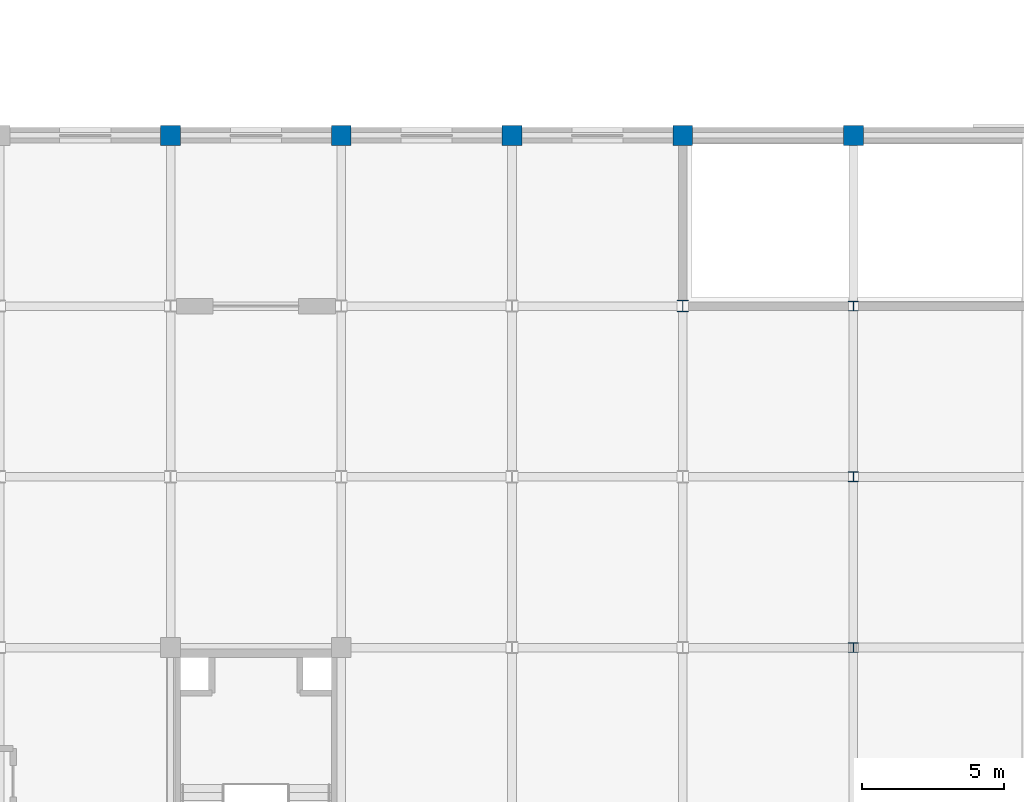
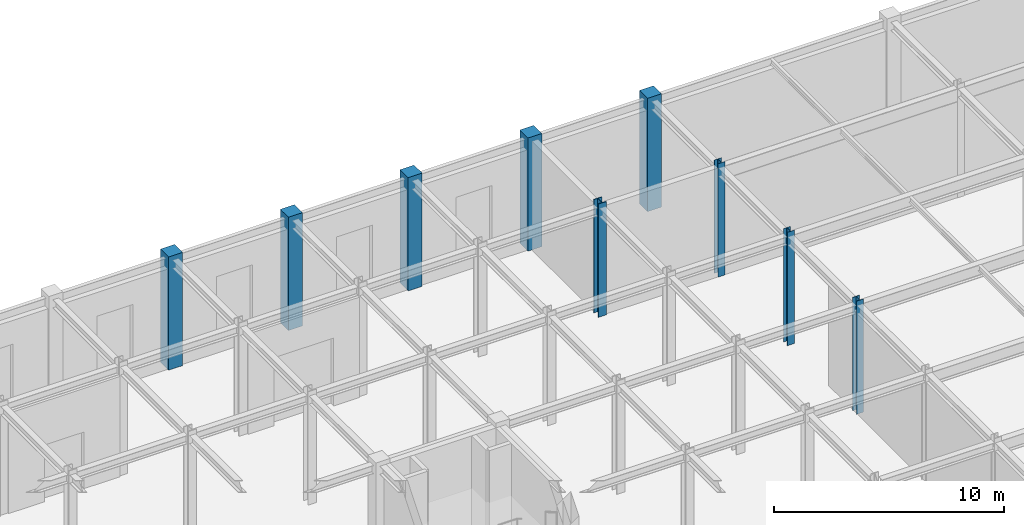
# One storey, part 20 of 51: 9 columns.
"""IFC4 building model written with IfcOpenShell, lengths in metres."""

from ifc_helpers import new_model, si_unit, direction, frame, origin, origin_2d, place, context, subcontext, project, spatial, rectangle, i_section, extrude, material, material_profile, profile_set, type_object, element, save


model = new_model("IFC4")

# Units and contexts
model_context = context("Model", 3, precision=1e-05, world=origin(), true_north=direction((0.0, 1.0)))
body_context = subcontext(model_context, "Body", "Model", "MODEL_VIEW")
ifc_project = project(units=[si_unit("LENGTHUNIT", "METRE"), si_unit("AREAUNIT", "SQUARE_METRE"), si_unit("VOLUMEUNIT", "CUBIC_METRE"), si_unit("PLANEANGLEUNIT", "RADIAN"), si_unit("MASSUNIT", "GRAM", prefix="KILO")], contexts=[model_context])

# Site, building, storey
site_placement = place(None, origin())
site = spatial("IfcSite", under=ifc_project, at=site_placement, CompositionType="ELEMENT")
building_placement = place(site_placement, origin())
building = spatial("IfcBuilding", under=site, at=building_placement, Name="Zlatovratsky Civic Hall", CompositionType="ELEMENT")
storey_placement = place(building_placement, origin())
storey = spatial("IfcBuildingStorey", under=building, at=storey_placement, Name="L01", CompositionType="ELEMENT", Elevation=0.0)

# Columns
ifc_material_1 = material(Name="Concrete C35/45 (B40)", Category="concrete")
ifc_material_profile_1 = material_profile(ifc_material_1, rectangle(XDim=0.699951171875, YDim=0.699951171875, at=origin_2d()), Name="RC 700x700")
ifc_profile_set_1 = profile_set([ifc_material_profile_1], Name="Concrete C35/45 (B40)")
column_type_1 = type_object("IfcColumnType", Name="Col_CorePier_RC700", PredefinedType="COLUMN", material=ifc_profile_set_1)
for number, where, z_axis, x_axis, name in (
    (1, (96.0, 114.0, 0.0), (0.0, 0.0, 1.0), (1.0, 0.0, 0.0), "CL-0812"),
    (2, (102.0, 114.0, 0.0), (0.0, 0.0, 1.0), (1.0, 0.0, 0.0), "CL-0813"),
    (3, (108.0, 114.0, 0.0), (0.0, 0.0, 1.0), (1.0, 0.0, 0.0), "CL-0814"),
    (4, (114.0, 114.0, 0.0), (0.0, 0.0, 1.0), (1.0, 0.0, 0.0), "CL-0815"),
    (5, (120.0, 114.0, 0.0), (0.0, 0.0, 1.0), (1.0, 0.0, 0.0), "CL-0816"),
):
    element("IfcColumn", number, at=place(storey_placement, frame(where, z_axis=z_axis, x_axis=x_axis)), inside=storey, type_object=column_type_1, Name=name, PredefinedType="COLUMN", context=body_context, shape_type="SweptSolid", body=[
        extrude(rectangle(XDim=0.699951171875, YDim=0.699951171875, at=origin_2d()), origin(), (0.0, 0.0, 1.0), 6.0),
    ])
ifc_material_2 = material(Name="Steel S355", Category="steel")
ifc_material_profile_2 = material_profile(ifc_material_2, i_section(OverallWidth=0.35009765625, OverallDepth=0.343017578125, WebThickness=0.010009765625, FlangeThickness=0.014892578125, FilletRadius=0.02001953125, at=origin_2d()), Name="35K1")
ifc_profile_set_2 = profile_set([ifc_material_profile_2], Name="Steel S355")
column_type_2 = type_object("IfcColumnType", Name="Col_Steel_35K1", PredefinedType="COLUMN", material=ifc_profile_set_2)
for number, where, z_axis, x_axis, name in (
    (6, (120.0, 96.0, 0.0), (0.0, 0.0, 1.0), (1.0, 0.0, 0.0), "CL-0747"),
    (7, (120.0, 102.0, 0.0), (0.0, 0.0, 1.0), (1.0, 0.0, 0.0), "CL-0770"),
    (8, (120.0, 108.0, 0.0), (0.0, 0.0, 1.0), (1.0, 0.0, 0.0), "CL-0793"),
):
    element("IfcColumn", number, at=place(storey_placement, frame(where, z_axis=z_axis, x_axis=x_axis)), inside=storey, type_object=column_type_2, Name=name, PredefinedType="COLUMN", context=body_context, shape_type="SweptSolid", body=[
        extrude(i_section(OverallWidth=0.35009765625, OverallDepth=0.343017578125, WebThickness=0.010009765625, FlangeThickness=0.014892578125, FilletRadius=0.02001953125, at=origin_2d()), origin(), (0.0, 0.0, 1.0), 6.0),
    ])
ifc_material_profile_3 = material_profile(ifc_material_2, i_section(OverallWidth=0.408935546875, OverallDepth=0.428955078125, WebThickness=0.02392578125, FlangeThickness=0.035400390625, FilletRadius=0.02197265625, at=origin_2d()), Name="40K5")
ifc_profile_set_3 = profile_set([ifc_material_profile_3], Name="Steel S355")
column_type_3 = type_object("IfcColumnType", Name="Col_Steel_40K5", PredefinedType="COLUMN", material=ifc_profile_set_3)
column_placement = place(storey_placement, frame((114.0, 108.0, 0.0), z_axis=(0.0, 0.0, 1.0), x_axis=(1.0, 0.0, 0.0)))
element("IfcColumn", 9, at=column_placement, inside=storey, type_object=column_type_3, Name="CL-0792", PredefinedType="COLUMN", context=body_context, shape_type="SweptSolid", body=[
    extrude(i_section(OverallWidth=0.408935546875, OverallDepth=0.428955078125, WebThickness=0.02392578125, FlangeThickness=0.035400390625, FilletRadius=0.02197265625, at=origin_2d()), origin(), (0.0, 0.0, 1.0), 6.0),
])

save(model, "model.ifc")
